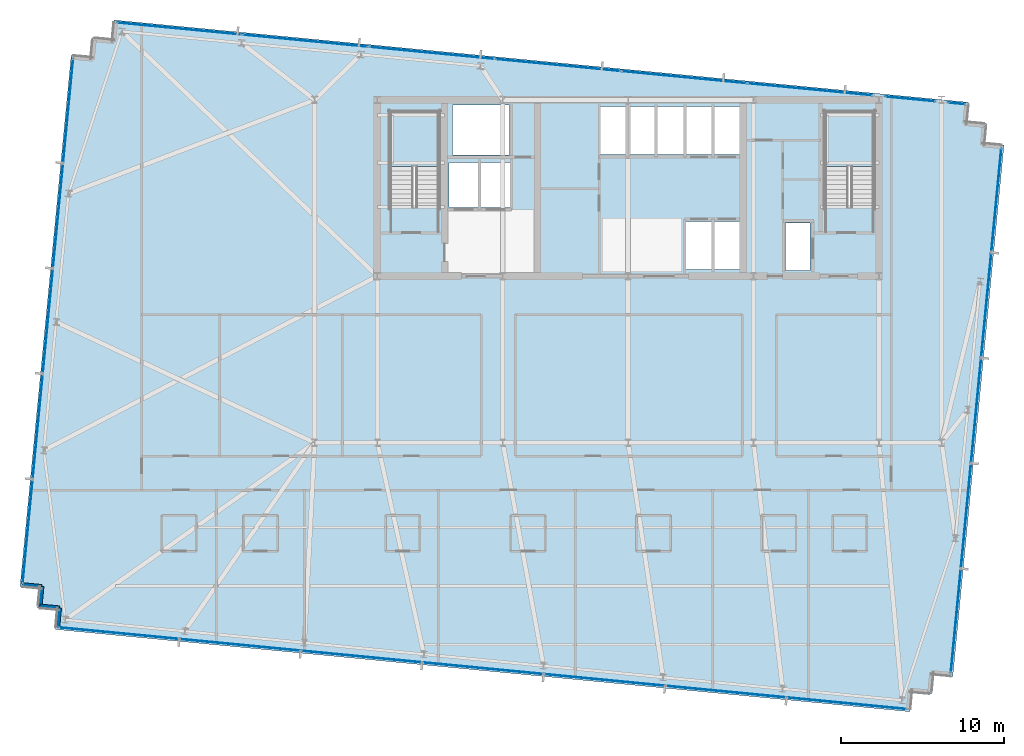
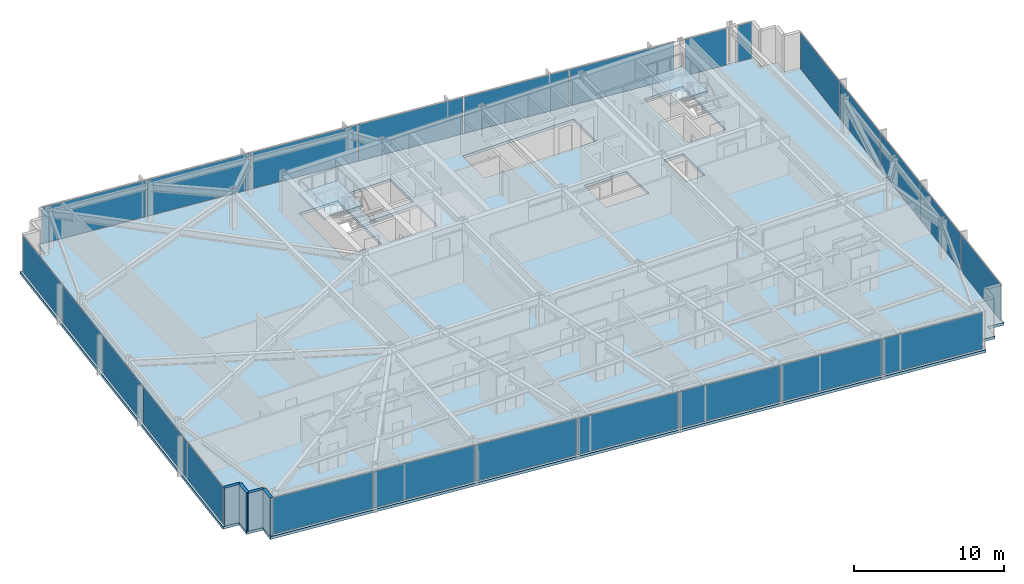
# One storey, part 28 of 37: 25 plates, 4 walls, 3 slabs, 8 elements without a shape of their own.
"""IFC4 building model written with IfcOpenShell, lengths in metres."""

from ifc_helpers import new_model, si_unit, direction, frame, frame_2d, origin, origin_2d, place, context, subcontext, project, spatial, polyline, rectangle, outline, extrude, material, layer, layer_set, type_object, element, aggregate, save


model = new_model("IFC4")

# Units and contexts
model_context = context("Model", 3, precision=1e-05, world=origin(), true_north=direction((0.0, 1.0)))
body_context = subcontext(model_context, "Body", "Model", "MODEL_VIEW")
ifc_project = project(units=[si_unit("LENGTHUNIT", "METRE"), si_unit("AREAUNIT", "SQUARE_METRE"), si_unit("VOLUMEUNIT", "CUBIC_METRE"), si_unit("PLANEANGLEUNIT", "RADIAN"), si_unit("MASSUNIT", "GRAM", prefix="KILO")], contexts=[model_context])

# Site, building, storey
site_placement = place(None, origin())
site = spatial("IfcSite", under=ifc_project, at=site_placement, CompositionType="ELEMENT")
building_placement = place(site_placement, origin())
building = spatial("IfcBuilding", under=site, at=building_placement, Name="Yelkora Congress Tower", CompositionType="ELEMENT")
storey_placement = place(building_placement, frame((0.0, 0.0, 165.5)))
storey = spatial("IfcBuildingStorey", under=building, at=storey_placement, Name="L45", CompositionType="ELEMENT", Elevation=165.5)

# Curtain wall, plates
ifc_material_1 = material(Name="Anodised aluminium and insulated glass", Category="aluminium")
curtain_wall_type = type_object("IfcCurtainWallType", Name="CW-SYS-B3", PredefinedType="NOTDEFINED", material=ifc_material_1)
curtain_wall_1_placement = place(storey_placement, origin())
curtain_wall_1 = element("IfcCurtainWall", 1, at=curtain_wall_1_placement, inside=storey, type_object=curtain_wall_type, Name="L45 Unitised Curtain Wall 5", PredefinedType="NOTDEFINED")
ifc_material_2 = material(Name="Acoustic laminated hotel glass unit B3", Category="glass")
ifc_layer_1 = layer(ifc_material_2, 0.0419921875)
ifc_layer_set_1 = layer_set([ifc_layer_1], Name="Acoustic laminated hotel glass unit B3")
plate_type = type_object("IfcPlateType", Name="PLT-PN-B3", PredefinedType="CURTAIN_PANEL", material=ifc_layer_set_1)
plate_1_placement = place(storey_placement, frame((1.61572265625, 19.75244140625, 0.06005859375), z_axis=(0.0, 0.0, 1.0), x_axis=(0.095845294465, 0.995396242473, 0.0)))
plate_1 = element("IfcPlate", 2, at=plate_1_placement, type_object=plate_type, Name="CW-B3 panel 1.1", PredefinedType="CURTAIN_PANEL", context=body_context, shape_type="SweptSolid", body=[
    extrude(rectangle(XDim=6.37890625, YDim=0.0419921875, at=origin_2d()), origin(), (0.0, 0.0, 1.0), 2.9599609375),
])
plate_2_placement = place(storey_placement, frame((2.235595703125, 26.189208984375, 0.06005859375), z_axis=(0.0, 0.0, 1.0), x_axis=(0.095845294465, 0.995396242473, 0.0)))
plate_2 = element("IfcPlate", 3, at=plate_2_placement, type_object=plate_type, Name="CW-B3 panel 2.1", PredefinedType="CURTAIN_PANEL", context=body_context, shape_type="SweptSolid", body=[
    extrude(rectangle(XDim=6.4140625, YDim=0.0419921875, at=origin_2d()), origin(), (0.0, 0.0, 1.0), 2.9599609375),
])
plate_3_placement = place(storey_placement, frame((2.85693359375, 32.643310546875, 0.06005859375), z_axis=(0.0, 0.0, 1.0), x_axis=(0.095845294465, 0.995396242473, 0.0)))
plate_3 = element("IfcPlate", 4, at=plate_3_placement, type_object=plate_type, Name="CW-B3 panel 3.1", PredefinedType="CURTAIN_PANEL", context=body_context, shape_type="SweptSolid", body=[
    extrude(rectangle(XDim=6.4140625, YDim=0.0419921875, at=origin_2d()), origin(), (0.0, 0.0, 1.0), 2.9599609375),
])
plate_4_placement = place(storey_placement, frame((3.478515625, 39.097412109375, 0.06005859375), z_axis=(0.0, 0.0, 1.0), x_axis=(0.095845294465, 0.995396242473, 0.0)))
plate_4 = element("IfcPlate", 5, at=plate_4_placement, type_object=plate_type, Name="CW-B3 panel 4.1", PredefinedType="CURTAIN_PANEL", context=body_context, shape_type="SweptSolid", body=[
    extrude(rectangle(XDim=6.4140625, YDim=0.0419921875, at=origin_2d()), origin(), (0.0, 0.0, 1.0), 2.9599609375),
])
plate_5_placement = place(storey_placement, frame((4.09814453125, 45.5341796875, 0.06005859375), z_axis=(0.0, 0.0, 1.0), x_axis=(0.095845294465, 0.995396242473, 0.0)))
plate_5 = element("IfcPlate", 6, at=plate_5_placement, type_object=plate_type, Name="CW-B3 panel 5.1", PredefinedType="CURTAIN_PANEL", context=body_context, shape_type="SweptSolid", body=[
    extrude(rectangle(XDim=6.37890625, YDim=0.0419921875, at=origin_2d()), origin(), (0.0, 0.0, 1.0), 2.9599609375),
])
aggregate(curtain_wall_1, [plate_1, plate_2, plate_3, plate_4, plate_5])

curtain_wall_2_placement = place(storey_placement, origin())
curtain_wall_2 = element("IfcCurtainWall", 7, at=curtain_wall_2_placement, inside=storey, type_object=curtain_wall_type, Name="L45 Unitised Curtain Wall 10 (1)", PredefinedType="NOTDEFINED")
plate_6_placement = place(storey_placement, frame((10.913818359375, 50.5634765625, 0.06005859375), z_axis=(0.0, 0.0, 1.0), x_axis=(0.995396293823, -0.095844761168, 0.0)))
plate_6 = element("IfcPlate", 8, at=plate_6_placement, type_object=plate_type, Name="CW-B3 panel 1.1", PredefinedType="CURTAIN_PANEL", context=body_context, shape_type="SweptSolid", body=[
    extrude(rectangle(XDim=7.664306640625, YDim=0.0419921875, at=origin_2d()), origin(), (0.0, 0.0, 1.0), 2.9599609375),
])
plate_7_placement = place(storey_placement, frame((18.6298828125, 49.820556640625, 0.06005859375), z_axis=(0.0, 0.0, 1.0), x_axis=(0.995396293823, -0.095844761168, 0.0)))
plate_7 = element("IfcPlate", 9, at=plate_7_placement, type_object=plate_type, Name="CW-B3 panel 2.1", PredefinedType="CURTAIN_PANEL", context=body_context, shape_type="SweptSolid", body=[
    extrude(rectangle(XDim=7.69921875, YDim=0.0419921875, at=origin_2d()), origin(), (0.0, 0.0, 1.0), 2.9599609375),
])
plate_8_placement = place(storey_placement, frame((26.363525390625, 49.075927734375, 0.06005859375), z_axis=(0.0, 0.0, 1.0), x_axis=(0.995396293823, -0.095844761168, 0.0)))
plate_8 = element("IfcPlate", 10, at=plate_8_placement, type_object=plate_type, Name="CW-B3 panel 3.1", PredefinedType="CURTAIN_PANEL", context=body_context, shape_type="SweptSolid", body=[
    extrude(rectangle(XDim=7.69921875, YDim=0.0419921875, at=origin_2d()), origin(), (0.0, 0.0, 1.0), 2.9599609375),
])
plate_9_placement = place(storey_placement, frame((34.09716796875, 48.331298828125, 0.06005859375), z_axis=(0.0, 0.0, 1.0), x_axis=(0.995396293823, -0.095844761168, 0.0)))
plate_9 = element("IfcPlate", 11, at=plate_9_placement, type_object=plate_type, Name="CW-B3 panel 4.1", PredefinedType="CURTAIN_PANEL", context=body_context, shape_type="SweptSolid", body=[
    extrude(rectangle(XDim=7.69921875, YDim=0.0419921875, at=origin_2d()), origin(), (0.0, 0.0, 1.0), 2.9599609375),
])
plate_10_placement = place(storey_placement, frame((41.83056640625, 47.586669921875, 0.06005859375), z_axis=(0.0, 0.0, 1.0), x_axis=(0.995396293823, -0.095844761168, 0.0)))
plate_10 = element("IfcPlate", 12, at=plate_10_placement, type_object=plate_type, Name="CW-B3 panel 5.1", PredefinedType="CURTAIN_PANEL", context=body_context, shape_type="SweptSolid", body=[
    extrude(rectangle(XDim=7.69921875, YDim=0.0419921875, at=origin_2d()), origin(), (0.0, 0.0, 1.0), 2.9599609375),
])
plate_11_placement = place(storey_placement, frame((49.546875, 46.84375, 0.06005859375), z_axis=(0.0, 0.0, 1.0), x_axis=(0.995396293823, -0.095844761168, 0.0)))
plate_11 = element("IfcPlate", 13, at=plate_11_placement, type_object=plate_type, Name="CW-B3 panel 6.1", PredefinedType="CURTAIN_PANEL", context=body_context, shape_type="SweptSolid", body=[
    extrude(rectangle(XDim=7.664306640625, YDim=0.0419921875, at=origin_2d()), origin(), (0.0, 0.0, 1.0), 2.9599609375),
])
aggregate(curtain_wall_2, [plate_6, plate_7, plate_8, plate_9, plate_10, plate_11])

# Curtain wall, plate
curtain_wall_3_placement = place(storey_placement, origin())
curtain_wall_3 = element("IfcCurtainWall", 14, at=curtain_wall_3_placement, inside=storey, type_object=curtain_wall_type, Name="L45 Unitised Curtain Wall 10 (2)", PredefinedType="NOTDEFINED")
plate_12_placement = place(storey_placement, frame((55.679931640625, 46.253173828125, 0.06005859375), z_axis=(0.0, 0.0, 1.0), x_axis=(0.995395952188, -0.095848309157, 0.0)))
plate_12 = element("IfcPlate", 15, at=plate_12_placement, type_object=plate_type, Name="CW-B3 panel 1.1", PredefinedType="CURTAIN_PANEL", context=body_context, shape_type="SweptSolid", body=[
    extrude(rectangle(XDim=3.056640625, YDim=0.0419921875, at=origin_2d()), origin(), (0.0, 0.0, 1.0), 2.9599609375),
])
aggregate(curtain_wall_3, [plate_12])

curtain_wall_4_placement = place(storey_placement, origin())
curtain_wall_4 = element("IfcCurtainWall", 16, at=curtain_wall_4_placement, inside=storey, type_object=curtain_wall_type, Name="L45 Unitised Curtain Wall 10 (3)", PredefinedType="NOTDEFINED")
plate_13_placement = place(storey_placement, frame((58.518798828125, 45.979736328125, 0.06005859375), z_axis=(0.0, 0.0, 1.0), x_axis=(0.995395569658, -0.095852281686, 0.0)))
plate_13 = element("IfcPlate", 17, at=plate_13_placement, type_object=plate_type, Name="CW-B3 panel 1.1", PredefinedType="CURTAIN_PANEL", context=body_context, shape_type="SweptSolid", body=[
    extrude(rectangle(XDim=1.045166015625, YDim=0.0419921875, at=origin_2d()), origin(), (0.0, 0.0, 1.0), 2.9599609375),
])
aggregate(curtain_wall_4, [plate_13])

# Curtain wall, plates
curtain_wall_5_placement = place(storey_placement, origin())
curtain_wall_5 = element("IfcCurtainWall", 18, at=curtain_wall_5_placement, inside=storey, type_object=curtain_wall_type, Name="L45 Unitised Curtain Wall 15", PredefinedType="NOTDEFINED")
plate_14_placement = place(storey_placement, frame((60.955322265625, 40.0595703125, 0.06005859375), z_axis=(0.0, 0.0, 1.0), x_axis=(-0.095841944023, -0.995396565076, 0.0)))
plate_14 = element("IfcPlate", 19, at=plate_14_placement, type_object=plate_type, Name="CW-B3 panel 1.1", PredefinedType="CURTAIN_PANEL", context=body_context, shape_type="SweptSolid", body=[
    extrude(rectangle(XDim=6.37890625, YDim=0.0419921875, at=origin_2d()), origin(), (0.0, 0.0, 1.0), 2.9599609375),
])
plate_15_placement = place(storey_placement, frame((60.33544921875, 33.622802734375, 0.06005859375), z_axis=(0.0, 0.0, 1.0), x_axis=(-0.095841944023, -0.995396565076, 0.0)))
plate_15 = element("IfcPlate", 20, at=plate_15_placement, type_object=plate_type, Name="CW-B3 panel 2.1", PredefinedType="CURTAIN_PANEL", context=body_context, shape_type="SweptSolid", body=[
    extrude(rectangle(XDim=6.4140625, YDim=0.0419921875, at=origin_2d()), origin(), (0.0, 0.0, 1.0), 2.9599609375),
])
plate_16_placement = place(storey_placement, frame((59.714111328125, 27.168701171875, 0.06005859375), z_axis=(0.0, 0.0, 1.0), x_axis=(-0.095841944023, -0.995396565076, 0.0)))
plate_16 = element("IfcPlate", 21, at=plate_16_placement, type_object=plate_type, Name="CW-B3 panel 3.1", PredefinedType="CURTAIN_PANEL", context=body_context, shape_type="SweptSolid", body=[
    extrude(rectangle(XDim=6.4140625, YDim=0.0419921875, at=origin_2d()), origin(), (0.0, 0.0, 1.0), 2.9599609375),
])
plate_17_placement = place(storey_placement, frame((59.092529296875, 20.71435546875, 0.06005859375), z_axis=(0.0, 0.0, 1.0), x_axis=(-0.095841944023, -0.995396565076, 0.0)))
plate_17 = element("IfcPlate", 22, at=plate_17_placement, type_object=plate_type, Name="CW-B3 panel 4.1", PredefinedType="CURTAIN_PANEL", context=body_context, shape_type="SweptSolid", body=[
    extrude(rectangle(XDim=6.4140625, YDim=0.0419921875, at=origin_2d()), origin(), (0.0, 0.0, 1.0), 2.9599609375),
])
plate_18_placement = place(storey_placement, frame((58.472900390625, 14.277587890625, 0.06005859375), z_axis=(0.0, 0.0, 1.0), x_axis=(-0.095841944023, -0.995396565076, 0.0)))
plate_18 = element("IfcPlate", 23, at=plate_18_placement, type_object=plate_type, Name="CW-B3 panel 5.1", PredefinedType="CURTAIN_PANEL", context=body_context, shape_type="SweptSolid", body=[
    extrude(rectangle(XDim=6.37890625, YDim=0.0419921875, at=origin_2d()), origin(), (0.0, 0.0, 1.0), 2.9599609375),
])
aggregate(curtain_wall_5, [plate_14, plate_15, plate_16, plate_17, plate_18])

curtain_wall_6_placement = place(storey_placement, origin())
curtain_wall_6 = element("IfcCurtainWall", 24, at=curtain_wall_6_placement, inside=storey, type_object=curtain_wall_type, Name="L45 Unitised Curtain Wall 20", PredefinedType="NOTDEFINED")
plate_19_placement = place(storey_placement, frame((51.803955078125, 9.234130859375, 0.06005859375), z_axis=(0.0, 0.0, 1.0), x_axis=(-0.995396301573, 0.095844680679, 0.0)))
plate_19 = element("IfcPlate", 25, at=plate_19_placement, type_object=plate_type, Name="CW-B3 panel 1.1", PredefinedType="CURTAIN_PANEL", context=body_context, shape_type="SweptSolid", body=[
    extrude(rectangle(XDim=7.369384765625, YDim=0.0419921875, at=origin_2d()), origin(), (0.0, 0.0, 1.0), 2.9599609375),
])
plate_20_placement = place(storey_placement, frame((44.381591796875, 9.948974609375, 0.06005859375), z_axis=(0.0, 0.0, 1.0), x_axis=(-0.995396301573, 0.095844680679, 0.0)))
plate_20 = element("IfcPlate", 26, at=plate_20_placement, type_object=plate_type, Name="CW-B3 panel 2.1", PredefinedType="CURTAIN_PANEL", context=body_context, shape_type="SweptSolid", body=[
    extrude(rectangle(XDim=7.404296875, YDim=0.0419921875, at=origin_2d()), origin(), (0.0, 0.0, 1.0), 2.9599609375),
])
plate_21_placement = place(storey_placement, frame((36.941650390625, 10.665283203125, 0.06005859375), z_axis=(0.0, 0.0, 1.0), x_axis=(-0.995396301573, 0.095844680679, 0.0)))
plate_21 = element("IfcPlate", 27, at=plate_21_placement, type_object=plate_type, Name="CW-B3 panel 3.1", PredefinedType="CURTAIN_PANEL", context=body_context, shape_type="SweptSolid", body=[
    extrude(rectangle(XDim=7.404296875, YDim=0.0419921875, at=origin_2d()), origin(), (0.0, 0.0, 1.0), 2.9599609375),
])
plate_22_placement = place(storey_placement, frame((29.501708984375, 11.381591796875, 0.06005859375), z_axis=(0.0, 0.0, 1.0), x_axis=(-0.995396301573, 0.095844680679, 0.0)))
plate_22 = element("IfcPlate", 28, at=plate_22_placement, type_object=plate_type, Name="CW-B3 panel 4.1", PredefinedType="CURTAIN_PANEL", context=body_context, shape_type="SweptSolid", body=[
    extrude(rectangle(XDim=7.404296875, YDim=0.0419921875, at=origin_2d()), origin(), (0.0, 0.0, 1.0), 2.9599609375),
])
plate_23_placement = place(storey_placement, frame((22.06201171875, 12.097900390625, 0.06005859375), z_axis=(0.0, 0.0, 1.0), x_axis=(-0.995396301573, 0.095844680679, 0.0)))
plate_23 = element("IfcPlate", 29, at=plate_23_placement, type_object=plate_type, Name="CW-B3 panel 5.1", PredefinedType="CURTAIN_PANEL", context=body_context, shape_type="SweptSolid", body=[
    extrude(rectangle(XDim=7.404296875, YDim=0.0419921875, at=origin_2d()), origin(), (0.0, 0.0, 1.0), 2.9599609375),
])
plate_24_placement = place(storey_placement, frame((14.6220703125, 12.814453125, 0.06005859375), z_axis=(0.0, 0.0, 1.0), x_axis=(-0.995396301573, 0.095844680679, 0.0)))
plate_24 = element("IfcPlate", 30, at=plate_24_placement, type_object=plate_type, Name="CW-B3 panel 6.1", PredefinedType="CURTAIN_PANEL", context=body_context, shape_type="SweptSolid", body=[
    extrude(rectangle(XDim=7.404296875, YDim=0.0419921875, at=origin_2d()), origin(), (0.0, 0.0, 1.0), 2.9599609375),
])
plate_25_placement = place(storey_placement, frame((7.199462890625, 13.529052734375, 0.06005859375), z_axis=(0.0, 0.0, 1.0), x_axis=(-0.995396301573, 0.095844680679, 0.0)))
plate_25 = element("IfcPlate", 31, at=plate_25_placement, type_object=plate_type, Name="CW-B3 panel 7.1", PredefinedType="CURTAIN_PANEL", context=body_context, shape_type="SweptSolid", body=[
    extrude(rectangle(XDim=7.369384765625, YDim=0.0419921875, at=origin_2d()), origin(), (0.0, 0.0, 1.0), 2.9599609375),
])
aggregate(curtain_wall_6, [plate_19, plate_20, plate_21, plate_22, plate_23, plate_24, plate_25])

# Stair, slab
ifc_material_3 = material(Name="Concrete C40/50", Category="concrete")
stair_type = type_object("IfcStairType", Name="STAIR-HT-1420-R20-165", PredefinedType="HALF_TURN_STAIR", material=ifc_material_3)
stair_1_placement = place(storey_placement, origin())
stair_1 = element("IfcStair", 32, at=stair_1_placement, inside=storey, type_object=stair_type, Name="West Core Protected Exit Stair ST-01 (L45)", PredefinedType="HALF_TURN_STAIR")
ifc_layer_2 = layer(ifc_material_3, 0.219970703125)
ifc_layer_set_2 = layer_set([ifc_layer_2], Name="Concrete C40/50")
slab_type_1 = type_object("IfcSlabType", Name="SLAB-LANDING-220", PredefinedType="LANDING", material=ifc_layer_set_2)
slab_1_placement = place(storey_placement, frame((0.0, 0.0, 1.429931640625)))
slab_1 = element("IfcSlab", 33, at=slab_1_placement, type_object=slab_type_1, Name="ST-01 L45 Half Landing 1", PredefinedType="LANDING", context=body_context, shape_type="SweptSolid", body=[
    extrude(outline(polyline([(26.820068359375, 42.1201171875), (26.820068359375, 45.469970703125), (23.820068359375, 45.469970703125), (23.820068359375, 42.1201171875), (26.820068359375, 42.1201171875)])), origin(), (0.0, 0.0, 1.0), 0.219970703125),
])
aggregate(stair_1, [slab_1])

stair_2_placement = place(storey_placement, origin())
stair_2 = element("IfcStair", 34, at=stair_2_placement, inside=storey, type_object=stair_type, Name="East Core Protected Exit Stair ST-02 (L45)", PredefinedType="HALF_TURN_STAIR")
slab_2_placement = place(storey_placement, frame((0.0, 0.0, 1.429931640625)))
slab_2 = element("IfcSlab", 35, at=slab_2_placement, type_object=slab_type_1, Name="ST-02 L45 Half Landing 1", PredefinedType="LANDING", context=body_context, shape_type="SweptSolid", body=[
    extrude(outline(polyline([(53.4599609375, 42.1201171875), (53.4599609375, 45.469970703125), (50.4599609375, 45.469970703125), (50.4599609375, 42.1201171875), (53.4599609375, 42.1201171875)])), origin(), (0.0, 0.0, 1.0), 0.219970703125),
])
aggregate(stair_2, [slab_2])

# Slab
ifc_layer_3 = layer(ifc_material_3, 0.219970703125)
ifc_layer_set_3 = layer_set([ifc_layer_3], Name="Concrete C40/50")
slab_type_2 = type_object("IfcSlabType", Name="SLAB-TWR-220", PredefinedType="FLOOR", material=ifc_layer_set_3)
slab_3_placement = place(storey_placement, frame((0.0, 0.0, -0.219970703125)))
element("IfcSlab", 36, at=slab_3_placement, inside=storey, type_object=slab_type_2, Name="L45 Structural Floor Slab", PredefinedType="FLOOR", context=body_context, shape_type="SweptSolid", body=[
    extrude(outline(polyline([(3.309326171875, 13.762939453125), (55.667236328125, 8.721435546875), (55.7822265625, 9.916015625), (56.976806640625, 9.801025390625), (57.091796875, 10.99560546875), (58.286376953125, 10.88037109375), (61.42041015625, 43.429931640625), (60.225830078125, 43.544921875), (60.341064453125, 44.739501953125), (59.146484375, 44.8544921875), (59.261474609375, 46.048828125), (6.90380859375, 51.09033203125), (6.78857421875, 49.89599609375), (5.59423828125, 50.010986328125), (5.479248046875, 48.81640625), (4.28466796875, 48.931396484375), (1.150390625, 16.382080078125), (2.344970703125, 16.26708984375), (2.22998046875, 15.072509765625), (3.424560546875, 14.95751953125), (3.309326171875, 13.762939453125)]), holes=[polyline([(23.820068359375, 39.6298828125), (26.820068359375, 39.6298828125), (26.820068359375, 45.469970703125), (23.820068359375, 45.469970703125), (23.820068359375, 39.6298828125)]), polyline([(50.4599609375, 39.6298828125), (53.4599609375, 39.6298828125), (53.4599609375, 45.469970703125), (50.4599609375, 45.469970703125), (50.4599609375, 39.6298828125)]), polyline([(48.050048828125, 35.75), (49.550048828125, 35.75), (49.550048828125, 38.64990234375), (48.050048828125, 38.64990234375), (48.050048828125, 35.75)]), polyline([(36.64990234375, 42.85009765625), (45.25, 42.85009765625), (45.25, 45.800048828125), (36.64990234375, 45.800048828125), (36.64990234375, 42.85009765625)]), polyline([(41.949951171875, 35.800048828125), (45.25, 35.800048828125), (45.25, 38.75), (41.949951171875, 38.75), (41.949951171875, 35.800048828125)]), polyline([(27.419921875, 39.60009765625), (31.179931640625, 39.60009765625), (31.179931640625, 42.35009765625), (27.419921875, 42.35009765625), (27.419921875, 39.60009765625)]), polyline([(27.64990234375, 42.820068359375), (31.1201171875, 42.820068359375), (31.1201171875, 45.8798828125), (27.64990234375, 45.8798828125), (27.64990234375, 42.820068359375)])]), origin(), (0.0, 0.0, 1.0), 0.219970703125),
])

# Walls
ifc_layer_4 = layer(ifc_material_3, 0.239990234375)
ifc_layer_set_4 = layer_set([ifc_layer_4], Name="Concrete C40/50")
wall_type = type_object("IfcWallType", Name="WALL-EXT-LIMESTONE-240", PredefinedType="SOLIDWALL", material=ifc_layer_set_4)
for number, where, z_axis, x_axis, name in (
    (37, (3.462158203125, 13.888916015625, 0.0), (0.0, 0.0, 1.0), (0.096018626938, 0.995379537303, 0.0), "L45 Serrated Corner Limestone Pier 1"),
    (38, (3.577392578125, 15.08349609375, 0.0), (0.0, 0.0, 1.0), (-0.995398960025, 0.095817067274, 0.0), "L45 Serrated Corner Limestone Pier 2"),
):
    element("IfcWall", number, at=place(storey_placement, frame(where, z_axis=z_axis, x_axis=x_axis)), inside=storey, type_object=wall_type, Name=name, PredefinedType="SOLIDWALL", context=body_context, shape_type="SweptSolid", body=[
        extrude(rectangle(XDim=1.2001953125, YDim=0.239990234375, at=frame_2d((0.60009765625, 0.0))), origin(), (0.0, 0.0, 1.0), 3.080078125),
    ])
wall_1_placement = place(storey_placement, frame((2.3828125, 15.198486328125, 0.0), z_axis=(0.0, 0.0, 1.0), x_axis=(0.095836473879, 0.995397091755, 0.0)))
element("IfcWall", 39, at=wall_1_placement, inside=storey, type_object=wall_type, Name="L45 Serrated Corner Limestone Pier 3", PredefinedType="SOLIDWALL", context=body_context, shape_type="SweptSolid", body=[
    extrude(rectangle(XDim=1.199951171875, YDim=0.239990234375, at=frame_2d((0.60009765625, 0.0))), origin(), (0.0, 0.0, 1.0), 3.080078125),
])
wall_2_placement = place(storey_placement, frame((2.497802734375, 16.392822265625, 0.0), z_axis=(0.0, 0.0, 1.0), x_axis=(-0.995398960025, 0.095817067274, 0.0)))
element("IfcWall", 40, at=wall_2_placement, inside=storey, type_object=wall_type, Name="L45 Serrated Corner Limestone Pier 4", PredefinedType="SOLIDWALL", context=body_context, shape_type="SweptSolid", body=[
    extrude(rectangle(XDim=1.2001953125, YDim=0.239990234375, at=frame_2d((0.60009765625, 0.0))), origin(), (0.0, 0.0, 1.0), 3.080078125),
])

save(model, "model.ifc")
